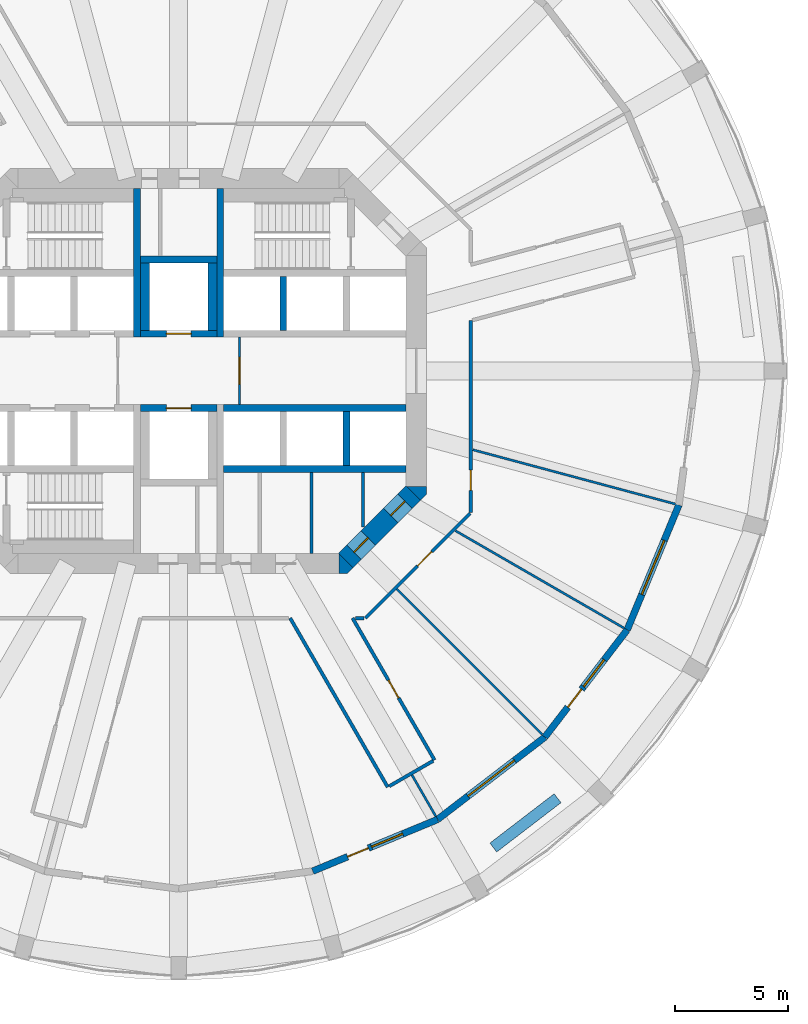
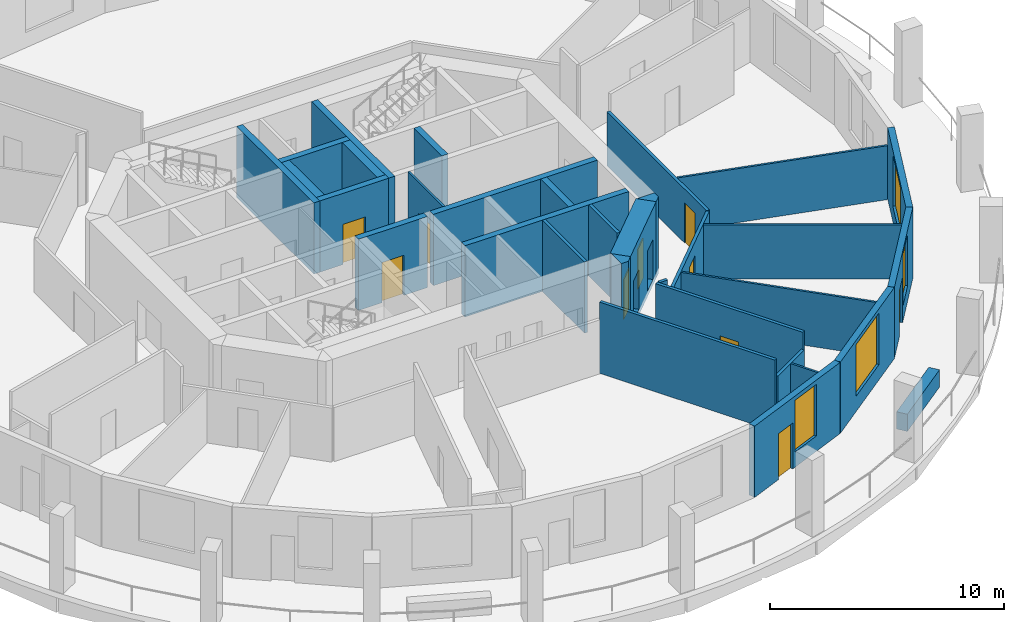
# One storey, part 4 of 9: 32 walls, 10 doors, 4 windows, 14 openings.
"""IFC4 building model written with IfcOpenShell, lengths in metres."""

import ifcopenshell
import ifcopenshell.guid

model = None  # the IFC model being written
_history = None  # IfcOwnerHistory: only IFC2X3 demands one
_inside = {}  # id of a spatial element -> (the spatial element, [elements in it])
_under = {}  # id of a project, library or spatial element -> (it, [spatial elements below it])
_declared = {}  # id of a project -> (the project, [libraries it declares])
_typed = {}  # id of a type object -> (the type object, [elements of that type])
_made_of = {}  # id of a material, layer set ... -> (it, [elements and type objects made of it])


def new_model(schema):
    """Start an empty IFC model of exactly this schema.

    Asked for "IFC4X3", IfcOpenShell would pick the latest addendum, in which some entities
    have other attributes; the version numbers below select the first issue.
    IFC2X3 requires an IfcOwnerHistory on every rooted entity: one is made here for all.
    """
    global model, _history
    if schema == "IFC4X3":
        model = ifcopenshell.file(schema_version=(4, 3, 0, 0))
    else:
        model = ifcopenshell.file(schema=schema)
    _inside.clear()
    _under.clear()
    _declared.clear()
    _typed.clear()
    _made_of.clear()
    _history = None
    if model.schema == "IFC2X3":
        org = make("IfcOrganization", Name="unknown")
        user = make(
            "IfcPersonAndOrganization",
            ThePerson=make("IfcPerson", FamilyName="unknown"),
            TheOrganization=org,
        )
        app = make(
            "IfcApplication",
            ApplicationDeveloper=org,
            Version="unknown",
            ApplicationFullName="unknown",
            ApplicationIdentifier="unknown",
        )
        _history = make(
            "IfcOwnerHistory",
            OwningUser=user,
            OwningApplication=app,
            ChangeAction="ADDED",
            CreationDate=0,
        )
    return model


def make(cls, **values):
    """One entity of the class cls with the attributes given. An attribute that is None is left unset."""
    return model.create_entity(
        cls, **{name: value for name, value in values.items() if value is not None}
    )


def rooted(cls, **values):
    """An entity with a GlobalId (a new one), such as an element, a storey or a relation."""
    return make(cls, GlobalId=ifcopenshell.guid.new(), OwnerHistory=_history, **values)


def si_unit(unit_type, name, prefix=None):
    """IfcSIUnit, for example si_unit("LENGTHUNIT", "METRE", prefix="MILLI")."""
    return make("IfcSIUnit", UnitType=unit_type, Prefix=prefix, Name=name)


def assignment(units):
    """IfcUnitAssignment: the units of a project."""
    return None if units is None else make("IfcUnitAssignment", Units=units)


def point(xyz):
    """IfcCartesianPoint."""
    return None if xyz is None else make("IfcCartesianPoint", Coordinates=xyz)


def direction(xyz):
    """IfcDirection."""
    return None if xyz is None else make("IfcDirection", DirectionRatios=xyz)


def frame(location, z_axis=None, x_axis=None):
    """IfcAxis2Placement3D, a coordinate frame: its origin and axes. An axis left out is left unset."""
    return make(
        "IfcAxis2Placement3D",
        Location=point(location),
        Axis=direction(z_axis),
        RefDirection=direction(x_axis),
    )


def frame_2d(location, x_axis=None):
    """IfcAxis2Placement2D, a coordinate frame in the plane: its origin and x axis."""
    return make(
        "IfcAxis2Placement2D", Location=point(location), RefDirection=direction(x_axis)
    )


def origin():
    """The frame at (0, 0, 0) with its axes left unset."""
    return frame((0.0, 0.0, 0.0))


def place(relative_to, where):
    """IfcLocalPlacement: puts the frame where relative to a parent placement (None: the world)."""
    return make(
        "IfcLocalPlacement", PlacementRelTo=relative_to, RelativePlacement=where
    )


def context(
    kind, dimensions, precision=None, world=None, true_north=None, identifier=None
):
    """IfcGeometricRepresentationContext, for example the 3D "Model" context."""
    return make(
        "IfcGeometricRepresentationContext",
        ContextIdentifier=identifier,
        ContextType=kind,
        CoordinateSpaceDimension=dimensions,
        Precision=precision,
        WorldCoordinateSystem=world,
        TrueNorth=true_north,
    )


def subcontext(parent, identifier, kind, view, scale=None):
    """IfcGeometricRepresentationSubContext, for example "Body" below "Model"."""
    return make(
        "IfcGeometricRepresentationSubContext",
        ContextIdentifier=identifier,
        ContextType=kind,
        ParentContext=parent,
        TargetScale=scale,
        TargetView=view,
    )


def project(units=None, contexts=None):
    """IfcProject with its units and contexts."""
    return rooted(
        "IfcProject",
        Name="project",
        RepresentationContexts=contexts,
        UnitsInContext=assignment(units),
    )


def spatial(cls, under=None, at=None, **own):
    """A site, building, storey or space (cls), placed at a placement, below another one or the project."""
    s = rooted(cls, ObjectPlacement=at, **own)
    if under is not None:
        _under.setdefault(under.id(), (under, []))[1].append(s)
    return s


def polyline(points):
    """IfcPolyline through the points."""
    return make("IfcPolyline", Points=[point(p) for p in points])


def profile(cls, at=None, kind="AREA", **sizes):
    """A parametric profile (cls). Its sizes go by their IFC names, for example OverallWidth=200.0."""
    return make(cls, ProfileType=kind, Position=at, **sizes)


def rectangle(**sizes):
    """IfcRectangleProfileDef."""
    return profile("IfcRectangleProfileDef", **sizes)


def outline(outer, holes=None, kind="AREA"):
    """IfcArbitraryClosedProfileDef: a profile drawn as a closed curve; with holes, ...WithVoids."""
    if holes is None:
        return make("IfcArbitraryClosedProfileDef", ProfileType=kind, OuterCurve=outer)
    return make(
        "IfcArbitraryProfileDefWithVoids",
        ProfileType=kind,
        OuterCurve=outer,
        InnerCurves=holes,
    )


def extrude(swept, where, along, depth):
    """IfcExtrudedAreaSolid: the profile swept, set in the frame where, extruded along a direction by depth."""
    return make(
        "IfcExtrudedAreaSolid",
        SweptArea=swept,
        Position=where,
        ExtrudedDirection=direction(along),
        Depth=depth,
    )


def shape(context_of_items, identifier, shape_type, items):
    """IfcShapeRepresentation: the items that make up one representation, for example the "Body"."""
    return make(
        "IfcShapeRepresentation",
        ContextOfItems=context_of_items,
        RepresentationIdentifier=identifier,
        RepresentationType=shape_type,
        Items=items,
    )


def material(Name=None, Category=None):
    """IfcMaterial."""
    return make("IfcMaterial", Name=Name, Category=Category)


def layer(
    of_material, thickness, ventilated=None, Name=None, Category=None, Priority=None
):
    """IfcMaterialLayer: one layer of a wall or slab, of a material (None: an air gap)."""
    return make(
        "IfcMaterialLayer",
        Material=of_material,
        LayerThickness=thickness,
        IsVentilated=ventilated,
        Name=Name,
        Category=Category,
        Priority=Priority,
    )


def layer_set(layers, Name=None):
    """IfcMaterialLayerSet."""
    return make("IfcMaterialLayerSet", MaterialLayers=layers, LayerSetName=Name)


def made_of(thing, what):
    """Note that an element or type object is made of a material, layer set ...; save() writes the relation."""
    if what is not None:
        _made_of.setdefault(what.id(), (what, []))[1].append(thing)
    return thing


def type_object(cls, material=None, **own):
    """A type object (cls), such as IfcWallType, which elements share."""
    return made_of(rooted(cls, **own), material)


def element(
    cls,
    number,
    at=None,
    inside=None,
    cuts=None,
    type_object=None,
    material=None,
    context=None,
    identifier="Body",
    shape_type=None,
    held_by="IfcProductDefinitionShape",
    body=None,
    shapes=None,
    **own,
):
    """One element of the class cls, such as IfcWall. Its Tag is "e" and its number.

    at: its placement. inside: the storey or other place that contains it. cuts: it is an
    opening in that element (IfcRelVoidsElement). A single representation is given by context,
    identifier, shape_type and body (its items); several are given by shapes. held_by: the class
    of the entity that holds the representations. save() writes the other relations.
    """
    e = rooted(cls, Tag="e%d" % number, ObjectPlacement=at, **own)
    if body is not None:
        shapes = [shape(context, identifier, shape_type, body)]
    if shapes is not None:
        e.Representation = make(held_by, Representations=shapes)
    if inside is not None:
        _inside.setdefault(inside.id(), (inside, []))[1].append(e)
    if cuts is not None:
        rooted(
            "IfcRelVoidsElement", RelatingBuildingElement=cuts, RelatedOpeningElement=e
        )
    if type_object is not None:
        _typed.setdefault(type_object.id(), (type_object, []))[1].append(e)
    return made_of(e, material)


def fill(opening, filler):
    """IfcRelFillsElement: the door or window that sits in an opening."""
    return rooted(
        "IfcRelFillsElement",
        RelatingOpeningElement=opening,
        RelatedBuildingElement=filler,
    )


def aggregate(whole, parts):
    """IfcRelAggregates: a whole, such as a stair, and the parts it consists of."""
    return rooted("IfcRelAggregates", RelatingObject=whole, RelatedObjects=parts)


def save(model, path):
    """Write the relations noted so far, then the file.

    IfcRelAggregates (storeys below a building ...), IfcRelContainedInSpatialStructure (elements
    in a storey), IfcRelDefinesByType, IfcRelAssociatesMaterial and IfcRelDeclares: one each for
    every whole, place, type object, material and project.
    """
    for whole, parts in _under.values():
        aggregate(whole, parts)
    for where, things in _inside.values():
        rooted(
            "IfcRelContainedInSpatialStructure",
            RelatedElements=things,
            RelatingStructure=where,
        )
    for kind, things in _typed.values():
        rooted("IfcRelDefinesByType", RelatedObjects=things, RelatingType=kind)
    for what, things in _made_of.values():
        rooted("IfcRelAssociatesMaterial", RelatedObjects=things, RelatingMaterial=what)
    for by, libraries in _declared.values():
        rooted("IfcRelDeclares", RelatingContext=by, RelatedDefinitions=libraries)
    model.write(path)


model = new_model("IFC4")

# Units and contexts
model_context = context("Model", 3, precision=1e-05, world=origin(), true_north=direction((0.0, 1.0)))
body_context = subcontext(model_context, "Body", "Model", "MODEL_VIEW")
ifc_project = project(units=[si_unit("LENGTHUNIT", "METRE"), si_unit("AREAUNIT", "SQUARE_METRE"), si_unit("VOLUMEUNIT", "CUBIC_METRE"), si_unit("PLANEANGLEUNIT", "RADIAN"), si_unit("MASSUNIT", "GRAM", prefix="KILO")], contexts=[model_context])

# Site, building, storey
site_placement = place(None, origin())
site = spatial("IfcSite", under=ifc_project, at=site_placement, CompositionType="ELEMENT")
building_placement = place(site_placement, origin())
building = spatial("IfcBuilding", under=site, at=building_placement, Name="Torre Triforio", CompositionType="ELEMENT")
storey_placement = place(building_placement, frame((0.0, 0.0, 59.0)))
storey = spatial("IfcBuildingStorey", under=building, at=storey_placement, Name="L12", CompositionType="ELEMENT", Elevation=59.0)

# Walls
ifc_material_1 = material(Name="Concrete C60", Category="concrete")
ifc_layer_1 = layer(ifc_material_1, 0.300048828125)
ifc_layer_set_1 = layer_set([ifc_layer_1], Name="Concrete C60")
wall_type_1 = type_object("IfcWallType", Name="Core wall 300 mm C60 EI 120", PredefinedType="SHEAR", material=ifc_layer_set_1)
for number, where, z_axis, x_axis, name in (
    (1, (-1.85009765625, 1.5, 0.0), (0.0, 0.0, 1.0), (0.0, 1.0, 0.0), "Core wall"),
    (2, (1.85009765625, 1.5, 0.0), (0.0, 0.0, 1.0), (0.0, 1.0, 0.0), "Core wall"),
):
    element("IfcWall", number, at=place(storey_placement, frame(where, z_axis=z_axis, x_axis=x_axis)), inside=storey, type_object=wall_type_1, Name=name, PredefinedType="SHEAR", context=body_context, shape_type="SweptSolid", body=[
        extrude(rectangle(XDim=6.60009765625, YDim=0.300048828125, at=frame_2d((3.300048828125, 0.0))), origin(), (0.0, 0.0, 1.0), 3.719970703125),
    ])

# Wall, openings, doors
ifc_layer_2 = layer(ifc_material_1, 0.89990234375)
ifc_layer_set_2 = layer_set([ifc_layer_2], Name="Concrete C60")
wall_type_2 = type_object("IfcWallType", Name="Core wall 900 mm C60 EI 120", PredefinedType="SHEAR", material=ifc_layer_set_2)
wall_1_placement = place(storey_placement, frame((10.418212890625, -5.418212890625, -0.280029296875), z_axis=(0.0, 0.0, 1.0), x_axis=(-0.707106781187, -0.707106781187, 0.0)))
wall_1 = element("IfcWall", 3, at=wall_1_placement, inside=storey, type_object=wall_type_2, Name="Core wall", PredefinedType="SHEAR", context=body_context, shape_type="SweptSolid", body=[
    extrude(rectangle(XDim=4.24267578125, YDim=0.89990234375, at=frame_2d((2.121337890625, 0.0))), origin(), (0.0, 0.0, 1.0), 4.0),
])
opening_1_placement = place(wall_1_placement, frame((2.82275390625, 0.0, 0.280029296875)))
opening_1 = element("IfcOpeningElement", 4, at=opening_1_placement, cuts=wall_1, Name="Opening SE-03", PredefinedType="OPENING", context=body_context, shape_type="SweptSolid", body=[
    extrude(rectangle(XDim=0.89990234375, YDim=2.10009765625, at=frame_2d((0.449951171875, 1.050048828125))), frame((0.0, 0.4599609375, 0.0), z_axis=(0.0, -1.0, 0.0), x_axis=(1.0, 0.0, 0.0)), (0.0, 0.0, 1.0), 0.919921875),
])
opening_2_placement = place(wall_1_placement, frame((0.52001953125, 0.0, 0.280029296875)))
opening_2 = element("IfcOpeningElement", 5, at=opening_2_placement, cuts=wall_1, Name="Opening SE-04", PredefinedType="OPENING", context=body_context, shape_type="SweptSolid", body=[
    extrude(rectangle(XDim=0.89990234375, YDim=2.10009765625, at=frame_2d((0.449951171875, 1.050048828125))), frame((0.0, 0.4599609375, 0.0), z_axis=(0.0, -1.0, 0.0), x_axis=(1.0, 0.0, 0.0)), (0.0, 0.0, 1.0), 0.919921875),
])
ifc_material_2 = material(Name="Hollow metal fire door leaf")
door_type_1 = type_object("IfcDoorType", Name="Room door 900 x 2100 EI 60", OperationType="NOTDEFINED", PredefinedType="DOOR", material=ifc_material_2)
door_1_placement = place(opening_1_placement, origin())
door_1 = element("IfcDoor", 6, at=door_1_placement, inside=storey, type_object=door_type_1, Name="Core door SE-03", OperationType="SINGLE_SWING_RIGHT", OverallHeight=2.10009765625, OverallWidth=0.89990234375, PredefinedType="DOOR", context=body_context, shape_type="SweptSolid", body=[
    extrude(rectangle(XDim=0.89990234375, YDim=2.10009765625, at=frame_2d((0.449951171875, 1.050048828125))), frame((0.0, 0.02490234375, 0.0), z_axis=(0.0, -1.0, 0.0), x_axis=(1.0, 0.0, 0.0)), (0.0, 0.0, 1.0), 0.050048828125),
])
fill(opening_1, door_1)
door_2_placement = place(opening_2_placement, origin())
door_2 = element("IfcDoor", 7, at=door_2_placement, inside=storey, type_object=door_type_1, Name="Core door SE-04", OperationType="SINGLE_SWING_LEFT", OverallHeight=2.10009765625, OverallWidth=0.89990234375, PredefinedType="DOOR", context=body_context, shape_type="SweptSolid", body=[
    extrude(rectangle(XDim=0.89990234375, YDim=2.10009765625, at=frame_2d((0.449951171875, 1.050048828125))), frame((0.0, 0.02490234375, 0.0), z_axis=(0.0, -1.0, 0.0), x_axis=(1.0, 0.0, 0.0)), (0.0, 0.0, 1.0), 0.050048828125),
])
fill(opening_2, door_2)

# Walls
wall_2_placement = place(storey_placement, frame((0.0, 0.0, -0.280029296875)))
element("IfcWall", 8, at=wall_2_placement, inside=storey, type_object=wall_type_2, Name="Core wall", PredefinedType="SHEAR", context=body_context, shape_type="SweptSolid", body=[
    extrude(outline(polyline([(7.472900390625, -9.0), (7.1298828125, -9.0), (7.1298828125, -8.1298828125), (7.736328125, -8.736328125), (7.472900390625, -9.0)])), origin(), (0.0, 0.0, 1.0), 4.0),
])
wall_3_placement = place(storey_placement, frame((0.0, 0.0, -0.280029296875)))
element("IfcWall", 9, at=wall_3_placement, inside=storey, type_object=wall_type_2, Name="Core wall", PredefinedType="SHEAR", context=body_context, shape_type="SweptSolid", body=[
    extrude(outline(polyline([(11.0, -5.472900390625), (10.736328125, -5.736328125), (10.1298828125, -5.1298828125), (11.0, -5.1298828125), (11.0, -5.472900390625)])), origin(), (0.0, 0.0, 1.0), 4.0),
])

# Wall, opening, door
ifc_material_3 = material(Name="Plasterboard on metal studs")
ifc_layer_3 = layer(ifc_material_3, 0.14990234375)
ifc_layer_set_3 = layer_set([ifc_layer_3], Name="Plasterboard on metal studs")
wall_type_3 = type_object("IfcWallType", Name="Corridor and tenancy wall 150 mm EI 60", PredefinedType="PARTITIONING", material=ifc_layer_set_3)
wall_4_placement = place(storey_placement, frame((12.97509765625, 2.234375, 0.0), z_axis=(0.0, 0.0, 1.0), x_axis=(0.0, -1.0, 0.0)))
wall_4 = element("IfcWall", 10, at=wall_4_placement, inside=storey, type_object=wall_type_3, Name="Partition 15", PredefinedType="PARTITIONING", context=body_context, shape_type="SweptSolid", body=[
    extrude(rectangle(XDim=8.525390625, YDim=0.14990234375, at=frame_2d((4.2626953125, 0.0))), origin(), (0.0, 0.0, 1.0), 2.820068359375),
])
opening_3_placement = place(wall_4_placement, frame((6.64306640625, 0.0, 0.0)))
opening_3 = element("IfcOpeningElement", 11, at=opening_3_placement, cuts=wall_4, Name="Opening N4-08", PredefinedType="OPENING", context=body_context, shape_type="SweptSolid", body=[
    extrude(rectangle(XDim=0.89990234375, YDim=2.10009765625, at=frame_2d((0.449951171875, 1.050048828125))), frame((0.0, 0.0849609375, 0.0), z_axis=(0.0, -1.0, 0.0), x_axis=(1.0, 0.0, 0.0)), (0.0, 0.0, 1.0), 0.169921875),
])
ifc_material_4 = material(Name="Timber", Category="wood")
door_type_2 = type_object("IfcDoorType", Name="Door 900 x 2100 single leaf EI 30", OperationType="NOTDEFINED", PredefinedType="DOOR", material=ifc_material_4)
door_3_placement = place(opening_3_placement, origin())
door_3 = element("IfcDoor", 12, at=door_3_placement, inside=storey, type_object=door_type_2, Name="Door N4-08", OperationType="SINGLE_SWING_LEFT", OverallHeight=2.10009765625, OverallWidth=0.89990234375, PredefinedType="DOOR", context=body_context, shape_type="SweptSolid", body=[
    extrude(rectangle(XDim=0.89990234375, YDim=2.10009765625, at=frame_2d((0.449951171875, 1.050048828125))), frame((0.0, 0.02490234375, 0.0), z_axis=(0.0, -1.0, 0.0), x_axis=(1.0, 0.0, 0.0)), (0.0, 0.0, 1.0), 0.050048828125),
])
fill(opening_3, door_3)

wall_5_placement = place(storey_placement, frame((12.93798828125, -6.327880859375, 0.0), z_axis=(0.0, 0.0, 1.0), x_axis=(-0.707088206597, -0.707125355289, 0.0)))
wall_5 = element("IfcWall", 13, at=wall_5_placement, inside=storey, type_object=wall_type_3, Name="Partition 16", PredefinedType="PARTITIONING", context=body_context, shape_type="SweptSolid", body=[
    extrude(rectangle(XDim=6.572021484375, YDim=0.14990234375, at=frame_2d((3.2861328125, 0.0))), origin(), (0.0, 0.0, 1.0), 2.820068359375),
])
opening_4_placement = place(wall_5_placement, frame((2.39794921875, 0.0, 0.0)))
opening_4 = element("IfcOpeningElement", 14, at=opening_4_placement, cuts=wall_5, Name="Opening N4-07", PredefinedType="OPENING", context=body_context, shape_type="SweptSolid", body=[
    extrude(rectangle(XDim=0.89990234375, YDim=2.10009765625, at=frame_2d((0.449951171875, 1.050048828125))), frame((0.0, 0.0849609375, 0.0), z_axis=(0.0, -1.0, 0.0), x_axis=(1.0, 0.0, 0.0)), (0.0, 0.0, 1.0), 0.169921875),
])
door_4_placement = place(opening_4_placement, origin())
door_4 = element("IfcDoor", 15, at=door_4_placement, inside=storey, type_object=door_type_2, Name="Door N4-07", OperationType="SINGLE_SWING_LEFT", OverallHeight=2.10009765625, OverallWidth=0.89990234375, PredefinedType="DOOR", context=body_context, shape_type="SweptSolid", body=[
    extrude(rectangle(XDim=0.89990234375, YDim=2.10009765625, at=frame_2d((0.449951171875, 1.050048828125))), frame((0.0, 0.02490234375, 0.0), z_axis=(0.0, -1.0, 0.0), x_axis=(1.0, 0.0, 0.0)), (0.0, 0.0, 1.0), 0.050048828125),
])
fill(opening_4, door_4)

# Wall
wall_6_placement = place(storey_placement, frame((8.23828125, -10.97509765625, 0.0), z_axis=(0.0, 0.0, 1.0), x_axis=(-1.0, 0.0, 0.0)))
element("IfcWall", 16, at=wall_6_placement, inside=storey, type_object=wall_type_3, Name="Partition 17", PredefinedType="PARTITIONING", context=body_context, shape_type="SweptSolid", body=[
    extrude(rectangle(XDim=0.38623046875, YDim=0.14990234375, at=frame_2d((0.193115234375, 0.0))), origin(), (0.0, 0.0, 1.0), 3.719970703125),
])

# Wall, opening, door
wall_7_placement = place(storey_placement, frame((7.72216796875, -10.97509765625, 0.0), z_axis=(0.0, 0.0, 1.0), x_axis=(0.499993290699, -0.866029277366, 0.0)))
wall_7 = element("IfcWall", 17, at=wall_7_placement, inside=storey, type_object=wall_type_3, Name="Partition 18", PredefinedType="PARTITIONING", context=body_context, shape_type="SweptSolid", body=[
    extrude(rectangle(XDim=7.28271484375, YDim=0.14990234375, at=frame_2d((3.641357421875, 0.0))), origin(), (0.0, 0.0, 1.0), 3.719970703125),
])
opening_5_placement = place(wall_7_placement, frame((3.19140625, 0.0, 0.0)))
opening_5 = element("IfcOpeningElement", 18, at=opening_5_placement, cuts=wall_7, Name="Opening N4-06", PredefinedType="OPENING", context=body_context, shape_type="SweptSolid", body=[
    extrude(rectangle(XDim=0.89990234375, YDim=2.10009765625, at=frame_2d((0.449951171875, 1.050048828125))), frame((0.0, 0.0849609375, 0.0), z_axis=(0.0, -1.0, 0.0), x_axis=(1.0, 0.0, 0.0)), (0.0, 0.0, 1.0), 0.169921875),
])
door_5_placement = place(opening_5_placement, origin())
door_5 = element("IfcDoor", 19, at=door_5_placement, inside=storey, type_object=door_type_2, Name="Door N4-06", OperationType="SINGLE_SWING_LEFT", OverallHeight=2.10009765625, OverallWidth=0.89990234375, PredefinedType="DOOR", context=body_context, shape_type="SweptSolid", body=[
    extrude(rectangle(XDim=0.89990234375, YDim=2.10009765625, at=frame_2d((0.449951171875, 1.050048828125))), frame((0.0, 0.02490234375, 0.0), z_axis=(0.0, -1.0, 0.0), x_axis=(1.0, 0.0, 0.0)), (0.0, 0.0, 1.0), 0.050048828125),
])
fill(opening_5, door_5)

# Walls
wall_8_placement = place(storey_placement, frame((11.298583984375, -17.31982421875, 0.0), z_axis=(0.0, 0.0, 1.0), x_axis=(-0.866017533419, -0.500013631625, 0.0)))
element("IfcWall", 20, at=wall_8_placement, inside=storey, type_object=wall_type_3, Name="Partition 19", PredefinedType="PARTITIONING", context=body_context, shape_type="SweptSolid", body=[
    extrude(rectangle(XDim=2.25, YDim=0.14990234375, at=frame_2d((1.125, 0.0))), origin(), (0.0, 0.0, 1.0), 2.820068359375),
])
wall_9_placement = place(storey_placement, frame((9.28515625, -18.482421875, 0.0), z_axis=(0.0, 0.0, 1.0), x_axis=(-0.500010122307, 0.866019559589, 0.0)))
element("IfcWall", 21, at=wall_9_placement, inside=storey, type_object=wall_type_3, Name="Partition 20", PredefinedType="PARTITIONING", context=body_context, shape_type="SweptSolid", body=[
    extrude(rectangle(XDim=8.668701171875, YDim=0.14990234375, at=frame_2d((4.33447265625, 0.0))), origin(), (0.0, 0.0, 1.0), 3.719970703125),
])

# Wall, opening, door
ifc_material_5 = material(Name="Block and board partition")
ifc_layer_4 = layer(ifc_material_5, 0.10009765625)
ifc_layer_set_4 = layer_set([ifc_layer_4], Name="Block and board partition")
wall_type_4 = type_object("IfcWallType", Name="Partition 100 mm EI 120", PredefinedType="PARTITIONING", material=ifc_layer_set_4)
wall_10_placement = place(storey_placement, frame((2.699951171875, -1.5, 0.0), z_axis=(0.0, 0.0, 1.0), x_axis=(0.0, 1.0, 0.0)))
wall_10 = element("IfcWall", 22, at=wall_10_placement, inside=storey, type_object=wall_type_4, Name="Partition", PredefinedType="PARTITIONING", context=body_context, shape_type="SweptSolid", body=[
    extrude(rectangle(XDim=3.0, YDim=0.10009765625, at=frame_2d((1.5, 0.0))), origin(), (0.0, 0.0, 1.0), 3.719970703125),
])
opening_6_placement = place(wall_10_placement, frame((0.89990234375, 0.0, 0.0)))
opening_6 = element("IfcOpeningElement", 23, at=opening_6_placement, cuts=wall_10, Name="Opening FF-E", PredefinedType="OPENING", context=body_context, shape_type="SweptSolid", body=[
    extrude(rectangle(XDim=1.199951171875, YDim=2.10009765625, at=frame_2d((0.60009765625, 1.050048828125))), frame((0.0, 0.06005859375, 0.0), z_axis=(0.0, -1.0, 0.0), x_axis=(1.0, 0.0, 0.0)), (0.0, 0.0, 1.0), 0.1201171875),
])
door_type_3 = type_object("IfcDoorType", Name="Fire-fighting lobby door 1200 x 2100 EI 60", OperationType="NOTDEFINED", PredefinedType="DOOR", material=ifc_material_2)
door_6_placement = place(opening_6_placement, origin())
door_6 = element("IfcDoor", 24, at=door_6_placement, inside=storey, type_object=door_type_3, Name="Core door FF-E", OperationType="SINGLE_SWING_LEFT", OverallHeight=2.10009765625, OverallWidth=1.199951171875, PredefinedType="DOOR", context=body_context, shape_type="SweptSolid", body=[
    extrude(rectangle(XDim=1.199951171875, YDim=2.10009765625, at=frame_2d((0.60009765625, 1.050048828125))), frame((0.0, 0.02490234375, 0.0), z_axis=(0.0, -1.0, 0.0), x_axis=(1.0, 0.0, 0.0)), (0.0, 0.0, 1.0), 0.050048828125),
])
fill(opening_6, door_6)

# Walls
ifc_layer_5 = layer(ifc_material_3, 0.10009765625)
ifc_layer_set_5 = layer_set([ifc_layer_5], Name="Plasterboard on metal studs")
wall_type_5 = type_object("IfcWallType", Name="Partition 100 mm board on metal studs", PredefinedType="PARTITIONING", material=ifc_layer_set_5)
wall_11_placement = place(storey_placement, frame((10.36181640625, -17.947265625, 0.0), z_axis=(0.0, 0.0, 1.0), x_axis=(0.500065834316, -0.865987390988, 0.0)))
element("IfcWall", 25, at=wall_11_placement, inside=storey, type_object=wall_type_5, Name="Partition 37", PredefinedType="PARTITIONING", context=body_context, shape_type="SweptSolid", body=[
    extrude(rectangle(XDim=2.113037109375, YDim=0.10009765625, at=frame_2d((1.056640625, 0.0))), origin(), (0.0, 0.0, 1.0), 2.820068359375),
])
wall_12_placement = place(storey_placement, frame((9.68603515625, -9.68603515625, 0.0), z_axis=(0.0, 0.0, 1.0), x_axis=(0.707106781187, -0.707106781187, 0.0)))
element("IfcWall", 26, at=wall_12_placement, inside=storey, type_object=wall_type_5, Name="Partition 38", PredefinedType="PARTITIONING", context=body_context, shape_type="SweptSolid", body=[
    extrude(rectangle(XDim=9.138427734375, YDim=0.10009765625, at=frame_2d((4.5693359375, 0.0))), origin(), (0.0, 0.0, 1.0), 2.820068359375),
])
wall_13_placement = place(storey_placement, frame((12.294189453125, -7.097900390625, 0.0), z_axis=(0.0, 0.0, 1.0), x_axis=(0.866010547425, -0.500025731086, 0.0)))
element("IfcWall", 27, at=wall_13_placement, inside=storey, type_object=wall_type_5, Name="Partition 39", PredefinedType="PARTITIONING", context=body_context, shape_type="SweptSolid", body=[
    extrude(rectangle(XDim=8.640625, YDim=0.10009765625, at=frame_2d((4.3203125, 0.0))), origin(), (0.0, 0.0, 1.0), 2.820068359375),
])
wall_14_placement = place(storey_placement, frame((13.064208984375, -3.50048828125, 0.0), z_axis=(0.0, 0.0, 1.0), x_axis=(0.965922655056, -0.258830880017, 0.0)))
element("IfcWall", 28, at=wall_14_placement, inside=storey, type_object=wall_type_5, Name="Partition 40", PredefinedType="PARTITIONING", context=body_context, shape_type="SweptSolid", body=[
    extrude(rectangle(XDim=9.311767578125, YDim=0.10009765625, at=frame_2d((4.65576171875, 0.0))), origin(), (0.0, 0.0, 1.0), 2.820068359375),
])
ifc_layer_6 = layer(ifc_material_5, 0.14990234375)
ifc_layer_set_6 = layer_set([ifc_layer_6], Name="Block and board partition")
wall_type_6 = type_object("IfcWallType", Name="Partition 150 mm", PredefinedType="PARTITIONING", material=ifc_layer_set_6)
wall_15_placement = place(storey_placement, frame((5.89697265625, -8.10009765625, 0.0), z_axis=(0.0, 0.0, 1.0), x_axis=(0.0, 1.0, 0.0)))
element("IfcWall", 29, at=wall_15_placement, inside=storey, type_object=wall_type_6, Name="Partition", PredefinedType="PARTITIONING", context=body_context, shape_type="SweptSolid", body=[
    extrude(rectangle(XDim=3.60009765625, YDim=0.14990234375, at=frame_2d((1.800048828125, 0.0))), origin(), (0.0, 0.0, 1.0), 3.719970703125),
])
wall_16_placement = place(storey_placement, frame((8.18896484375, -6.93603515625, 0.0), z_axis=(0.0, 0.0, 1.0), x_axis=(0.0, 1.0, 0.0)))
element("IfcWall", 30, at=wall_16_placement, inside=storey, type_object=wall_type_6, Name="Partition", PredefinedType="PARTITIONING", context=body_context, shape_type="SweptSolid", body=[
    extrude(rectangle(XDim=2.43603515625, YDim=0.14990234375, at=frame_2d((1.218017578125, 0.0))), origin(), (0.0, 0.0, 1.0), 3.719970703125),
])
ifc_material_6 = material(Name="Limestone cladding", Category="masonry")
ifc_layer_7 = layer(ifc_material_6, 0.10009765625)
ifc_material_7 = material(Name="Concrete C40", Category="concrete")
ifc_layer_8 = layer(ifc_material_7, 0.39990234375)
ifc_layer_set_7 = layer_set([ifc_layer_7, ifc_layer_8], Name="Limestone cladding / Concrete C40")
wall_type_7 = type_object("IfcWallType", Name="Planter wall 500", PredefinedType="PARAPET", material=ifc_layer_set_7)
wall_17_placement = place(storey_placement, frame((13.9736328125, -21.16748046875, 0.0), z_axis=(0.0, 0.0, 1.0), x_axis=(0.793359599829, 0.608753271334, 0.0)))
element("IfcWall", 31, at=wall_17_placement, inside=storey, type_object=wall_type_7, Name="Planter L12 bay 21", PredefinedType="PARAPET", context=body_context, shape_type="SweptSolid", body=[
    extrude(rectangle(XDim=3.599853515625, YDim=0.5, at=frame_2d((1.7998046875, 0.0))), origin(), (0.0, 0.0, 1.0), 0.89990234375),
])
ifc_layer_9 = layer(ifc_material_1, 0.300048828125)
ifc_layer_set_8 = layer_set([ifc_layer_9], Name="Concrete C60")
wall_type_8 = type_object("IfcWallType", Name="Shaft wall 300 mm C60 EI 120", PredefinedType="SOLIDWALL", material=ifc_layer_set_8)
for number, where, z_axis, x_axis, name in (
    (32, (2.0, -4.35009765625, 0.0), (0.0, 0.0, 1.0), (1.0, 0.0, 0.0), "Shaft wall"),
    (33, (2.0, -1.64990234375, 0.0), (0.0, 0.0, 1.0), (1.0, 0.0, 0.0), "Shaft wall"),
):
    element("IfcWall", number, at=place(storey_placement, frame(where, z_axis=z_axis, x_axis=x_axis)), inside=storey, type_object=wall_type_8, Name=name, PredefinedType="SOLIDWALL", context=body_context, shape_type="SweptSolid", body=[
        extrude(rectangle(XDim=8.10009765625, YDim=0.300048828125, at=frame_2d((4.050048828125, 0.0))), origin(), (0.0, 0.0, 1.0), 3.719970703125),
    ])
for number, where, z_axis, x_axis, name in (
    (34, (4.64990234375, 1.800048828125, 0.0), (0.0, 0.0, 1.0), (0.0, 1.0, 0.0), "Shaft wall"),
    (35, (7.449951171875, -4.199951171875, 0.0), (0.0, 0.0, 1.0), (0.0, 1.0, 0.0), "Shaft wall"),
):
    element("IfcWall", number, at=place(storey_placement, frame(where, z_axis=z_axis, x_axis=x_axis)), inside=storey, type_object=wall_type_8, Name=name, PredefinedType="SOLIDWALL", context=body_context, shape_type="SweptSolid", body=[
        extrude(rectangle(XDim=2.39990234375, YDim=0.300048828125, at=frame_2d((1.199951171875, 0.0))), origin(), (0.0, 0.0, 1.0), 3.719970703125),
    ])

# Wall, opening, door
wall_18_placement = place(storey_placement, frame((-1.699951171875, 1.64990234375, 0.0), z_axis=(0.0, 0.0, 1.0), x_axis=(1.0, 0.0, 0.0)))
wall_18 = element("IfcWall", 36, at=wall_18_placement, inside=storey, type_object=wall_type_8, Name="Shaft wall", PredefinedType="SOLIDWALL", context=body_context, shape_type="SweptSolid", body=[
    extrude(rectangle(XDim=3.39990234375, YDim=0.300048828125, at=frame_2d((1.699951171875, 0.0))), origin(), (0.0, 0.0, 1.0), 3.719970703125),
])
opening_7_placement = place(wall_18_placement, frame((1.14990234375, 0.0, 0.0)))
opening_7 = element("IfcOpeningElement", 37, at=opening_7_placement, cuts=wall_18, Name="Opening LD", PredefinedType="OPENING", context=body_context, shape_type="SweptSolid", body=[
    extrude(rectangle(XDim=1.10009765625, YDim=2.10009765625, at=frame_2d((0.550048828125, 1.050048828125))), frame((0.0, 0.159912109375, 0.0), z_axis=(0.0, -1.0, 0.0), x_axis=(1.0, 0.0, 0.0)), (0.0, 0.0, 1.0), 0.320068359375),
])
door_type_4 = type_object("IfcDoorType", Name="Landing door 1100 x 2100 EI 60", OperationType="DOUBLE_DOOR_SLIDING", PredefinedType="DOOR", material=ifc_material_2)
door_7_placement = place(opening_7_placement, origin())
door_7 = element("IfcDoor", 38, at=door_7_placement, inside=storey, type_object=door_type_4, Name="Landing door FFL1", OperationType="DOUBLE_DOOR_SLIDING", OverallHeight=2.10009765625, OverallWidth=1.10009765625, PredefinedType="DOOR", context=body_context, shape_type="SweptSolid", body=[
    extrude(rectangle(XDim=1.10009765625, YDim=2.10009765625, at=frame_2d((0.550048828125, 1.050048828125))), frame((0.0, 0.02490234375, 0.0), z_axis=(0.0, -1.0, 0.0), x_axis=(1.0, 0.0, 0.0)), (0.0, 0.0, 1.0), 0.050048828125),
])
fill(opening_7, door_7)

wall_19_placement = place(storey_placement, frame((-1.699951171875, -1.64990234375, 0.0), z_axis=(0.0, 0.0, 1.0), x_axis=(1.0, 0.0, 0.0)))
wall_19 = element("IfcWall", 39, at=wall_19_placement, inside=storey, type_object=wall_type_8, Name="Shaft wall", PredefinedType="SOLIDWALL", context=body_context, shape_type="SweptSolid", body=[
    extrude(rectangle(XDim=3.39990234375, YDim=0.300048828125, at=frame_2d((1.699951171875, 0.0))), origin(), (0.0, 0.0, 1.0), 3.719970703125),
])
opening_8_placement = place(wall_19_placement, frame((1.14990234375, 0.0, 0.0)))
opening_8 = element("IfcOpeningElement", 40, at=opening_8_placement, cuts=wall_19, Name="Opening LD", PredefinedType="OPENING", context=body_context, shape_type="SweptSolid", body=[
    extrude(rectangle(XDim=1.10009765625, YDim=2.10009765625, at=frame_2d((0.550048828125, 1.050048828125))), frame((0.0, 0.159912109375, 0.0), z_axis=(0.0, -1.0, 0.0), x_axis=(1.0, 0.0, 0.0)), (0.0, 0.0, 1.0), 0.320068359375),
])
door_8_placement = place(opening_8_placement, origin())
door_8 = element("IfcDoor", 41, at=door_8_placement, inside=storey, type_object=door_type_4, Name="Landing door FFL2", OperationType="DOUBLE_DOOR_SLIDING", OverallHeight=2.10009765625, OverallWidth=1.10009765625, PredefinedType="DOOR", context=body_context, shape_type="SweptSolid", body=[
    extrude(rectangle(XDim=1.10009765625, YDim=2.10009765625, at=frame_2d((0.550048828125, 1.050048828125))), frame((0.0, 0.02490234375, 0.0), z_axis=(0.0, -1.0, 0.0), x_axis=(1.0, 0.0, 0.0)), (0.0, 0.0, 1.0), 0.050048828125),
])
fill(opening_8, door_8)

# Walls
wall_20_placement = place(storey_placement, frame((-1.699951171875, 4.949951171875, 0.0), z_axis=(0.0, 0.0, 1.0), x_axis=(1.0, 0.0, 0.0)))
element("IfcWall", 42, at=wall_20_placement, inside=storey, type_object=wall_type_8, Name="Shaft wall", PredefinedType="SOLIDWALL", context=body_context, shape_type="SweptSolid", body=[
    extrude(rectangle(XDim=3.39990234375, YDim=0.300048828125, at=frame_2d((1.699951171875, 0.0))), origin(), (0.0, 0.0, 1.0), 3.719970703125),
])
ifc_layer_10 = layer(ifc_material_1, 0.39990234375)
ifc_layer_set_9 = layer_set([ifc_layer_10], Name="Concrete C60")
wall_type_9 = type_object("IfcWallType", Name="Shaft wall 400 mm C60 EI 120", PredefinedType="SOLIDWALL", material=ifc_layer_set_9)
for number, where, z_axis, x_axis, name in (
    (43, (-1.5, 1.800048828125, 0.0), (0.0, 0.0, 1.0), (0.0, 1.0, 0.0), "Shaft wall"),
    (44, (1.5, 1.800048828125, 0.0), (0.0, 0.0, 1.0), (0.0, 1.0, 0.0), "Shaft wall"),
):
    element("IfcWall", number, at=place(storey_placement, frame(where, z_axis=z_axis, x_axis=x_axis)), inside=storey, type_object=wall_type_9, Name=name, PredefinedType="SOLIDWALL", context=body_context, shape_type="SweptSolid", body=[
        extrude(rectangle(XDim=3.0, YDim=0.39990234375, at=frame_2d((1.5, 0.0))), origin(), (0.0, 0.0, 1.0), 3.719970703125),
    ])

# Wall, openings, door, window
ifc_layer_11 = layer(ifc_material_6, 0.10009765625)
ifc_layer_12 = layer(ifc_material_7, 0.199951171875)
ifc_layer_set_10 = layer_set([ifc_layer_11, ifc_layer_12], Name="Limestone cladding / Concrete C40")
wall_type_10 = type_object("IfcWallType", Name="Stone-faced composite wall 300", PredefinedType="STANDARD", material=ifc_layer_set_10)
wall_21_placement = place(storey_placement, frame((5.952880859375, -22.21630859375, 0.0), z_axis=(0.0, 0.0, 1.0), x_axis=(0.923884511653, 0.382671411433, 0.0)))
wall_21 = element("IfcWall", 45, at=wall_21_placement, inside=storey, type_object=wall_type_10, Name="External wall L12 bay 20", PredefinedType="STANDARD", context=body_context, shape_type="SweptSolid", body=[
    extrude(rectangle(XDim=6.004150390625, YDim=0.300048828125, at=frame_2d((3.001953125, 0.0))), origin(), (0.0, 0.0, 1.0), 3.719970703125),
])
opening_9_placement = place(wall_21_placement, frame((1.677001953125, 0.0, 0.0)))
opening_9 = element("IfcOpeningElement", 46, at=opening_9_placement, cuts=wall_21, Name="Opening N4-D20", PredefinedType="OPENING", context=body_context, shape_type="SweptSolid", body=[
    extrude(rectangle(XDim=1.0, YDim=2.39990234375, at=frame_2d((0.5, 1.199951171875))), frame((0.0, 0.159912109375, 0.0), z_axis=(0.0, -1.0, 0.0), x_axis=(1.0, 0.0, 0.0)), (0.0, 0.0, 1.0), 0.320068359375),
])
opening_10_placement = place(wall_21_placement, frame((2.8271484375, 0.0, 0.800048828125)))
opening_10 = element("IfcOpeningElement", 47, at=opening_10_placement, cuts=wall_21, Name="Opening N4-W20A", PredefinedType="OPENING", context=body_context, shape_type="SweptSolid", body=[
    extrude(rectangle(XDim=1.5, YDim=2.699951171875, at=frame_2d((0.75, 1.35009765625))), frame((0.0, 0.159912109375, 0.0), z_axis=(0.0, -1.0, 0.0), x_axis=(1.0, 0.0, 0.0)), (0.0, 0.0, 1.0), 0.320068359375),
])
ifc_material_8 = material(Name="Aluminium frame with clear double glazing", Category="aluminium")
door_type_5 = type_object("IfcDoorType", Name="Loggia door 1000 x 2400", OperationType="NOTDEFINED", PredefinedType="DOOR", material=ifc_material_8)
door_9_placement = place(opening_9_placement, origin())
door_9 = element("IfcDoor", 48, at=door_9_placement, inside=storey, type_object=door_type_5, Name="Loggia door L12 bay 20", OperationType="SINGLE_SWING_LEFT", OverallHeight=2.39990234375, OverallWidth=1.0, PredefinedType="DOOR", context=body_context, shape_type="SweptSolid", body=[
    extrude(rectangle(XDim=1.0, YDim=2.39990234375, at=frame_2d((0.5, 1.199951171875))), frame((0.0, 0.02490234375, 0.0), z_axis=(0.0, -1.0, 0.0), x_axis=(1.0, 0.0, 0.0)), (0.0, 0.0, 1.0), 0.050048828125),
])
fill(opening_9, door_9)
window_type_1 = type_object("IfcWindowType", Name="Side window 1500 x 2700", PartitioningType="SINGLE_PANEL", PredefinedType="WINDOW", material=ifc_material_8)
window_1_placement = place(opening_10_placement, origin())
window_1 = element("IfcWindow", 49, at=window_1_placement, inside=storey, type_object=window_type_1, Name="Side window EWN12 L12 bay 20", OverallHeight=2.699951171875, OverallWidth=1.5, PartitioningType="SINGLE_PANEL", PredefinedType="WINDOW", context=body_context, shape_type="SweptSolid", body=[
    extrude(rectangle(XDim=1.5, YDim=2.699951171875, at=frame_2d((0.75, 1.35009765625))), frame((0.0, 0.030029296875, 0.0), z_axis=(0.0, -1.0, 0.0), x_axis=(1.0, 0.0, 0.0)), (0.0, 0.0, 1.0), 0.06005859375),
])
fill(opening_10, window_1)

# Wall, opening, window
wall_22_placement = place(storey_placement, frame((11.5, -19.918701171875, 0.0), z_axis=(0.0, 0.0, 1.0), x_axis=(0.793339924758, 0.608778912074, 0.0)))
wall_22 = element("IfcWall", 50, at=wall_22_placement, inside=storey, type_object=wall_type_10, Name="External wall L12 bay 21", PredefinedType="STANDARD", context=body_context, shape_type="SweptSolid", body=[
    extrude(rectangle(XDim=6.004150390625, YDim=0.300048828125, at=frame_2d((3.001953125, 0.0))), origin(), (0.0, 0.0, 1.0), 3.719970703125),
])
opening_11_placement = place(wall_22_placement, frame((1.7021484375, 0.0, 0.800048828125)))
opening_11 = element("IfcOpeningElement", 51, at=opening_11_placement, cuts=wall_22, Name="Opening N4-W21", PredefinedType="OPENING", context=body_context, shape_type="SweptSolid", body=[
    extrude(rectangle(XDim=2.60009765625, YDim=2.699951171875, at=frame_2d((1.300048828125, 1.35009765625))), frame((0.0, 0.159912109375, 0.0), z_axis=(0.0, -1.0, 0.0), x_axis=(1.0, 0.0, 0.0)), (0.0, 0.0, 1.0), 0.320068359375),
])
window_type_2 = type_object("IfcWindowType", Name="Punched window 2600 x 2700", PartitioningType="DOUBLE_PANEL_VERTICAL", PredefinedType="WINDOW", material=ifc_material_8)
window_2_placement = place(opening_11_placement, origin())
window_2 = element("IfcWindow", 52, at=window_2_placement, inside=storey, type_object=window_type_2, Name="Window EWN2 L12 bay 21", OverallHeight=2.699951171875, OverallWidth=2.60009765625, PartitioningType="SINGLE_PANEL", PredefinedType="WINDOW", context=body_context, shape_type="SweptSolid", body=[
    extrude(rectangle(XDim=2.60009765625, YDim=2.699951171875, at=frame_2d((1.300048828125, 1.35009765625))), frame((0.0, 0.030029296875, 0.0), z_axis=(0.0, -1.0, 0.0), x_axis=(1.0, 0.0, 0.0)), (0.0, 0.0, 1.0), 0.06005859375),
])
fill(opening_11, window_2)

# Wall, openings, door, window
wall_23_placement = place(storey_placement, frame((16.263427734375, -16.263427734375, 0.0), z_axis=(0.0, 0.0, 1.0), x_axis=(0.608778912074, 0.793339924758, 0.0)))
wall_23 = element("IfcWall", 53, at=wall_23_placement, inside=storey, type_object=wall_type_10, Name="External wall L12 bay 22", PredefinedType="STANDARD", context=body_context, shape_type="SweptSolid", body=[
    extrude(rectangle(XDim=6.004150390625, YDim=0.300048828125, at=frame_2d((3.001953125, 0.0))), origin(), (0.0, 0.0, 1.0), 3.719970703125),
])
opening_12_placement = place(wall_23_placement, frame((1.677001953125, 0.0, 0.0)))
opening_12 = element("IfcOpeningElement", 54, at=opening_12_placement, cuts=wall_23, Name="Opening N4-D22", PredefinedType="OPENING", context=body_context, shape_type="SweptSolid", body=[
    extrude(rectangle(XDim=1.0, YDim=2.39990234375, at=frame_2d((0.5, 1.199951171875))), frame((0.0, 0.159912109375, 0.0), z_axis=(0.0, -1.0, 0.0), x_axis=(1.0, 0.0, 0.0)), (0.0, 0.0, 1.0), 0.320068359375),
])
opening_13_placement = place(wall_23_placement, frame((2.8271484375, 0.0, 0.800048828125)))
opening_13 = element("IfcOpeningElement", 55, at=opening_13_placement, cuts=wall_23, Name="Opening N4-W22A", PredefinedType="OPENING", context=body_context, shape_type="SweptSolid", body=[
    extrude(rectangle(XDim=1.5, YDim=2.699951171875, at=frame_2d((0.75, 1.35009765625))), frame((0.0, 0.159912109375, 0.0), z_axis=(0.0, -1.0, 0.0), x_axis=(1.0, 0.0, 0.0)), (0.0, 0.0, 1.0), 0.320068359375),
])
door_10_placement = place(opening_12_placement, origin())
door_10 = element("IfcDoor", 56, at=door_10_placement, inside=storey, type_object=door_type_5, Name="Loggia door L12 bay 22", OperationType="SINGLE_SWING_LEFT", OverallHeight=2.39990234375, OverallWidth=1.0, PredefinedType="DOOR", context=body_context, shape_type="SweptSolid", body=[
    extrude(rectangle(XDim=1.0, YDim=2.39990234375, at=frame_2d((0.5, 1.199951171875))), frame((0.0, 0.02490234375, 0.0), z_axis=(0.0, -1.0, 0.0), x_axis=(1.0, 0.0, 0.0)), (0.0, 0.0, 1.0), 0.050048828125),
])
fill(opening_12, door_10)
window_3_placement = place(opening_13_placement, origin())
window_3 = element("IfcWindow", 57, at=window_3_placement, inside=storey, type_object=window_type_1, Name="Side window EWN12 L12 bay 22", OverallHeight=2.699951171875, OverallWidth=1.5, PartitioningType="SINGLE_PANEL", PredefinedType="WINDOW", context=body_context, shape_type="SweptSolid", body=[
    extrude(rectangle(XDim=1.5, YDim=2.699951171875, at=frame_2d((0.75, 1.35009765625))), frame((0.0, 0.030029296875, 0.0), z_axis=(0.0, -1.0, 0.0), x_axis=(1.0, 0.0, 0.0)), (0.0, 0.0, 1.0), 0.06005859375),
])
fill(opening_13, window_3)

# Wall, opening, window
wall_24_placement = place(storey_placement, frame((19.918701171875, -11.5, 0.0), z_axis=(0.0, 0.0, 1.0), x_axis=(0.382671411433, 0.923884511653, 0.0)))
wall_24 = element("IfcWall", 58, at=wall_24_placement, inside=storey, type_object=wall_type_10, Name="External wall L12 bay 23", PredefinedType="STANDARD", context=body_context, shape_type="SweptSolid", body=[
    extrude(rectangle(XDim=6.004150390625, YDim=0.300048828125, at=frame_2d((3.001953125, 0.0))), origin(), (0.0, 0.0, 1.0), 3.719970703125),
])
opening_14_placement = place(wall_24_placement, frame((1.7021484375, 0.0, 0.800048828125)))
opening_14 = element("IfcOpeningElement", 59, at=opening_14_placement, cuts=wall_24, Name="Opening N4-W23", PredefinedType="OPENING", context=body_context, shape_type="SweptSolid", body=[
    extrude(rectangle(XDim=2.60009765625, YDim=2.699951171875, at=frame_2d((1.300048828125, 1.35009765625))), frame((0.0, 0.159912109375, 0.0), z_axis=(0.0, -1.0, 0.0), x_axis=(1.0, 0.0, 0.0)), (0.0, 0.0, 1.0), 0.320068359375),
])
window_4_placement = place(opening_14_placement, origin())
window_4 = element("IfcWindow", 60, at=window_4_placement, inside=storey, type_object=window_type_2, Name="Window EWN2 L12 bay 23", OverallHeight=2.699951171875, OverallWidth=2.60009765625, PartitioningType="SINGLE_PANEL", PredefinedType="WINDOW", context=body_context, shape_type="SweptSolid", body=[
    extrude(rectangle(XDim=2.60009765625, YDim=2.699951171875, at=frame_2d((1.300048828125, 1.35009765625))), frame((0.0, 0.030029296875, 0.0), z_axis=(0.0, -1.0, 0.0), x_axis=(1.0, 0.0, 0.0)), (0.0, 0.0, 1.0), 0.06005859375),
])
fill(opening_14, window_4)

save(model, "model.ifc")
